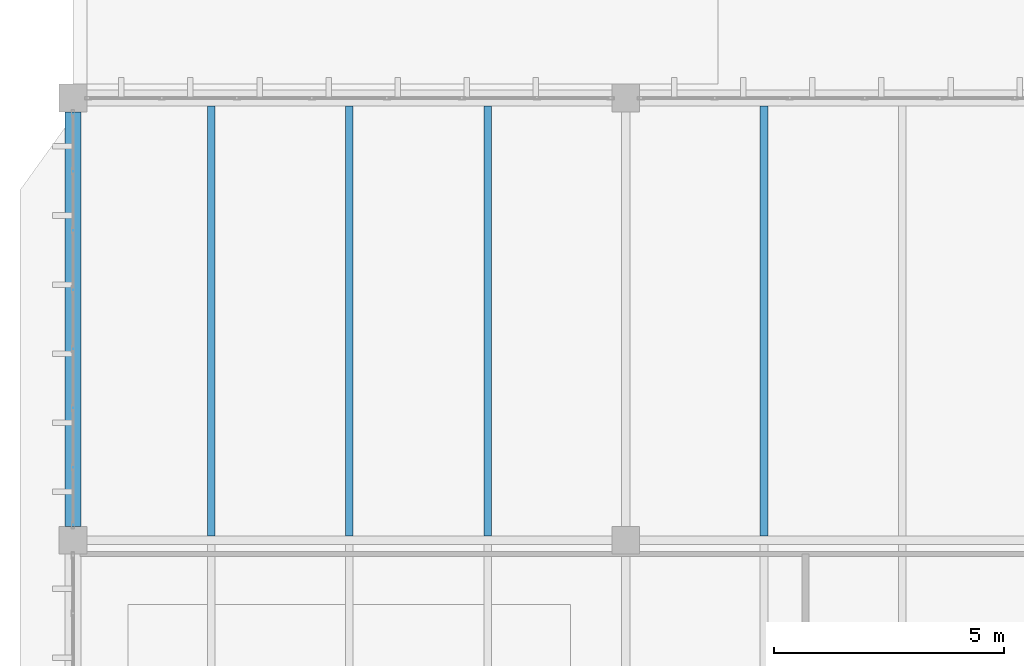
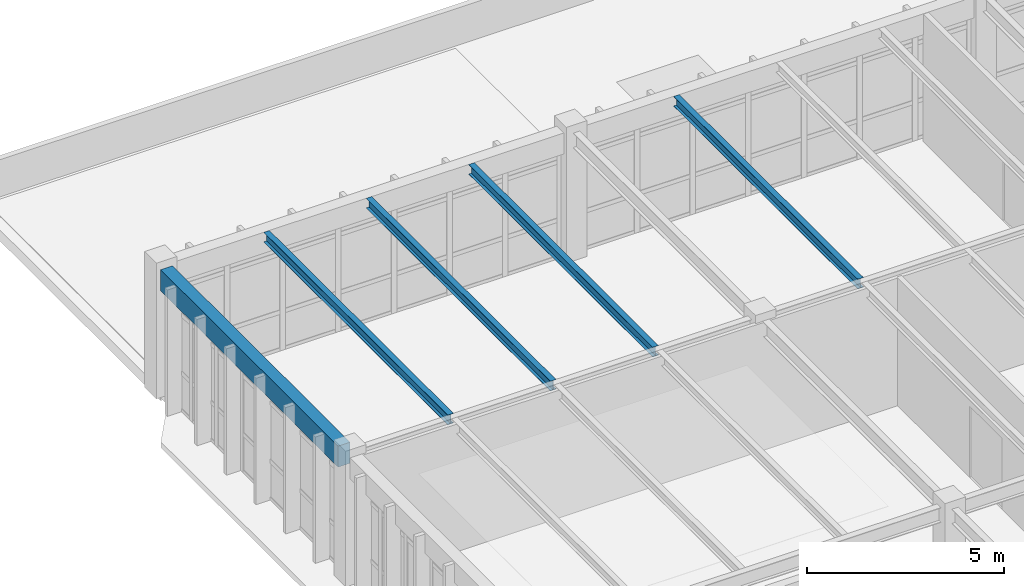
# One storey, part 17 of 37: 5 beams.
"""IFC4 building model written with IfcOpenShell, lengths in metres."""

from ifc_helpers import new_model, si_unit, direction, frame, origin, origin_2d, place, context, subcontext, project, spatial, rectangle, i_section, extrude, material, material_profile, profile_set, type_object, element, save


model = new_model("IFC4")

# Units and contexts
model_context = context("Model", 3, precision=1e-05, world=origin(), true_north=direction((0.0, 1.0)))
body_context = subcontext(model_context, "Body", "Model", "MODEL_VIEW")
ifc_project = project(units=[si_unit("LENGTHUNIT", "METRE"), si_unit("AREAUNIT", "SQUARE_METRE"), si_unit("VOLUMEUNIT", "CUBIC_METRE"), si_unit("PLANEANGLEUNIT", "RADIAN"), si_unit("MASSUNIT", "GRAM", prefix="KILO")], contexts=[model_context])

# Site, building, storey
site_placement = place(None, origin())
site = spatial("IfcSite", under=ifc_project, at=site_placement, CompositionType="ELEMENT")
building_placement = place(site_placement, origin())
building = spatial("IfcBuilding", under=site, at=building_placement, Name="Pandanus Reach Market Hall", CompositionType="ELEMENT")
storey_placement = place(building_placement, frame((0.0, 0.0, 14.39990234375)))
storey = spatial("IfcBuildingStorey", under=building, at=storey_placement, Name="L03", CompositionType="ELEMENT", Elevation=14.39990234375)

# Beams
ifc_material_1 = material(Name="Concrete N40 (40 MPa)", Category="concrete")
ifc_material_profile_1 = material_profile(ifc_material_1, rectangle(XDim=0.35009765625, YDim=0.64990234375, at=origin_2d()), Name="RC350x650", Category="LoadBearing")
ifc_profile_set_1 = profile_set([ifc_material_profile_1], Name="Concrete N40 (40 MPa)")
beam_type_1 = type_object("IfcBeamType", Name="BM-RC350-E", PredefinedType="SPANDREL", material=ifc_profile_set_1)
beam_placement = place(storey_placement, frame((144.0, 67.498046875, 3.630126953125), z_axis=(0.0, 1.0, 0.0), x_axis=(-1.0, 0.0, 0.0)))
element("IfcBeam", 1, at=beam_placement, inside=storey, type_object=beam_type_1, Name="Framing beam BM-RC350-E L03.558", PredefinedType="SPANDREL", context=body_context, shape_type="SweptSolid", body=[
    extrude(rectangle(XDim=0.35009765625, YDim=0.64990234375, at=origin_2d()), origin(), (0.0, 0.0, 1.0), 9.00390625),
])
ifc_material_2 = material(Name="Steel Grade 350 (350 MPa)", Category="steel")
ifc_material_profile_2 = material_profile(ifc_material_2, i_section(OverallWidth=0.1650390625, OverallDepth=0.303955078125, WebThickness=0.006103515625, FlangeThickness=0.01025390625, at=origin_2d()), Name="310UB40.4", Category="LoadBearing")
ifc_profile_set_2 = profile_set([ifc_material_profile_2], Name="Steel Grade 350 (350 MPa)")
beam_type_2 = type_object("IfcBeamType", Name="JS-UB310-I", PredefinedType="JOIST", material=ifc_profile_set_2)
for number, where, z_axis, x_axis, name in (
    (2, (147.0, 67.29296875, 3.802734375), (0.0, 1.0, 0.0), (-1.0, 0.0, 0.0), "Secondary joist JS-UB310-I L03.583"),
    (3, (150.0, 67.29296875, 3.802734375), (0.0, 1.0, 0.0), (-1.0, 0.0, 0.0), "Secondary joist JS-UB310-I L03.584"),
    (4, (153.0, 67.29296875, 3.802734375), (0.0, 1.0, 0.0), (-1.0, 0.0, 0.0), "Secondary joist JS-UB310-I L03.585"),
    (5, (159.0, 67.29296875, 3.8076171875), (0.0, 1.0, 0.0), (-1.0, 0.0, 0.0), "Secondary joist JS-UB310-I L03.598"),
):
    element("IfcBeam", number, at=place(storey_placement, frame(where, z_axis=z_axis, x_axis=x_axis)), inside=storey, type_object=beam_type_2, Name=name, PredefinedType="JOIST", context=body_context, shape_type="SweptSolid", body=[
        extrude(i_section(OverallWidth=0.1650390625, OverallDepth=0.303955078125, WebThickness=0.006103515625, FlangeThickness=0.01025390625, at=origin_2d()), origin(), (0.0, 0.0, 1.0), 9.333984375),
    ])

save(model, "model.ifc")
